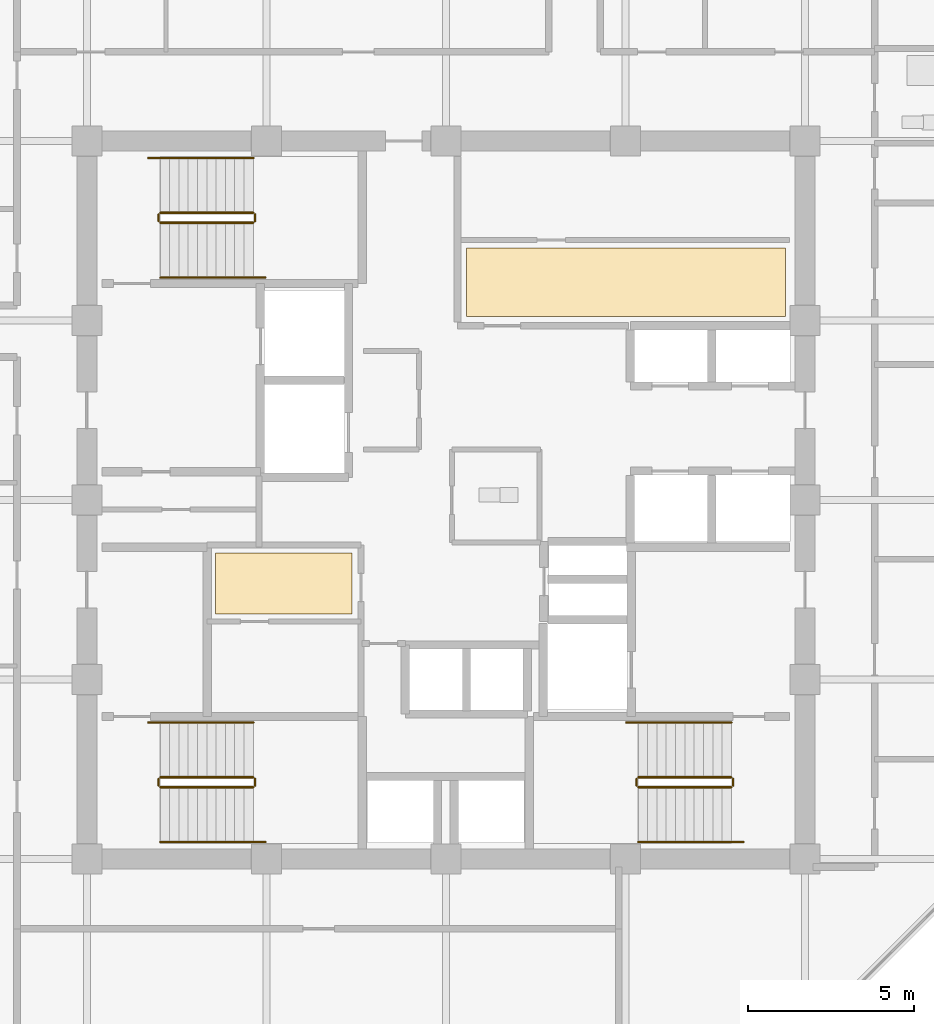
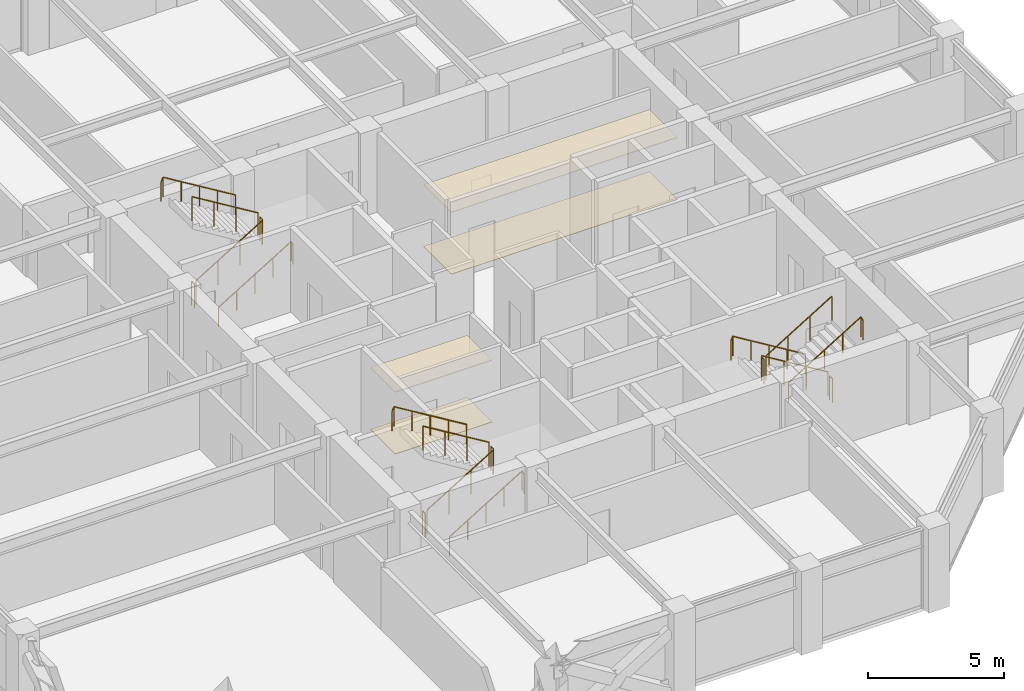
# One storey, part 31 of 32: 18 railings, 4 coverings.
"""IFC4 building model written with IfcOpenShell, lengths in metres."""

import ifcopenshell
import ifcopenshell.guid

model = None  # the IFC model being written
_history = None  # IfcOwnerHistory: only IFC2X3 demands one
_inside = {}  # id of a spatial element -> (the spatial element, [elements in it])
_under = {}  # id of a project, library or spatial element -> (it, [spatial elements below it])
_declared = {}  # id of a project -> (the project, [libraries it declares])
_typed = {}  # id of a type object -> (the type object, [elements of that type])
_made_of = {}  # id of a material, layer set ... -> (it, [elements and type objects made of it])


def new_model(schema):
    """Start an empty IFC model of exactly this schema.

    Asked for "IFC4X3", IfcOpenShell would pick the latest addendum, in which some entities
    have other attributes; the version numbers below select the first issue.
    IFC2X3 requires an IfcOwnerHistory on every rooted entity: one is made here for all.
    """
    global model, _history
    if schema == "IFC4X3":
        model = ifcopenshell.file(schema_version=(4, 3, 0, 0))
    else:
        model = ifcopenshell.file(schema=schema)
    _inside.clear()
    _under.clear()
    _declared.clear()
    _typed.clear()
    _made_of.clear()
    _history = None
    if model.schema == "IFC2X3":
        org = make("IfcOrganization", Name="unknown")
        user = make(
            "IfcPersonAndOrganization",
            ThePerson=make("IfcPerson", FamilyName="unknown"),
            TheOrganization=org,
        )
        app = make(
            "IfcApplication",
            ApplicationDeveloper=org,
            Version="unknown",
            ApplicationFullName="unknown",
            ApplicationIdentifier="unknown",
        )
        _history = make(
            "IfcOwnerHistory",
            OwningUser=user,
            OwningApplication=app,
            ChangeAction="ADDED",
            CreationDate=0,
        )
    return model


def make(cls, **values):
    """One entity of the class cls with the attributes given. An attribute that is None is left unset."""
    return model.create_entity(
        cls, **{name: value for name, value in values.items() if value is not None}
    )


def rooted(cls, **values):
    """An entity with a GlobalId (a new one), such as an element, a storey or a relation."""
    return make(cls, GlobalId=ifcopenshell.guid.new(), OwnerHistory=_history, **values)


def si_unit(unit_type, name, prefix=None):
    """IfcSIUnit, for example si_unit("LENGTHUNIT", "METRE", prefix="MILLI")."""
    return make("IfcSIUnit", UnitType=unit_type, Prefix=prefix, Name=name)


def assignment(units):
    """IfcUnitAssignment: the units of a project."""
    return None if units is None else make("IfcUnitAssignment", Units=units)


def point(xyz):
    """IfcCartesianPoint."""
    return None if xyz is None else make("IfcCartesianPoint", Coordinates=xyz)


def direction(xyz):
    """IfcDirection."""
    return None if xyz is None else make("IfcDirection", DirectionRatios=xyz)


def frame(location, z_axis=None, x_axis=None):
    """IfcAxis2Placement3D, a coordinate frame: its origin and axes. An axis left out is left unset."""
    return make(
        "IfcAxis2Placement3D",
        Location=point(location),
        Axis=direction(z_axis),
        RefDirection=direction(x_axis),
    )


def frame_2d(location, x_axis=None):
    """IfcAxis2Placement2D, a coordinate frame in the plane: its origin and x axis."""
    return make(
        "IfcAxis2Placement2D", Location=point(location), RefDirection=direction(x_axis)
    )


def origin():
    """The frame at (0, 0, 0) with its axes left unset."""
    return frame((0.0, 0.0, 0.0))


def origin_2d():
    """The frame at (0, 0) in the plane with its x axis left unset."""
    return frame_2d((0.0, 0.0))


def place(relative_to, where):
    """IfcLocalPlacement: puts the frame where relative to a parent placement (None: the world)."""
    return make(
        "IfcLocalPlacement", PlacementRelTo=relative_to, RelativePlacement=where
    )


def context(
    kind, dimensions, precision=None, world=None, true_north=None, identifier=None
):
    """IfcGeometricRepresentationContext, for example the 3D "Model" context."""
    return make(
        "IfcGeometricRepresentationContext",
        ContextIdentifier=identifier,
        ContextType=kind,
        CoordinateSpaceDimension=dimensions,
        Precision=precision,
        WorldCoordinateSystem=world,
        TrueNorth=true_north,
    )


def subcontext(parent, identifier, kind, view, scale=None):
    """IfcGeometricRepresentationSubContext, for example "Body" below "Model"."""
    return make(
        "IfcGeometricRepresentationSubContext",
        ContextIdentifier=identifier,
        ContextType=kind,
        ParentContext=parent,
        TargetScale=scale,
        TargetView=view,
    )


def project(units=None, contexts=None):
    """IfcProject with its units and contexts."""
    return rooted(
        "IfcProject",
        Name="project",
        RepresentationContexts=contexts,
        UnitsInContext=assignment(units),
    )


def spatial(cls, under=None, at=None, **own):
    """A site, building, storey or space (cls), placed at a placement, below another one or the project."""
    s = rooted(cls, ObjectPlacement=at, **own)
    if under is not None:
        _under.setdefault(under.id(), (under, []))[1].append(s)
    return s


def polyline(points):
    """IfcPolyline through the points."""
    return make("IfcPolyline", Points=[point(p) for p in points])


def profile(cls, at=None, kind="AREA", **sizes):
    """A parametric profile (cls). Its sizes go by their IFC names, for example OverallWidth=200.0."""
    return make(cls, ProfileType=kind, Position=at, **sizes)


def circle(**sizes):
    """IfcCircleProfileDef."""
    return profile("IfcCircleProfileDef", **sizes)


def outline(outer, holes=None, kind="AREA"):
    """IfcArbitraryClosedProfileDef: a profile drawn as a closed curve; with holes, ...WithVoids."""
    if holes is None:
        return make("IfcArbitraryClosedProfileDef", ProfileType=kind, OuterCurve=outer)
    return make(
        "IfcArbitraryProfileDefWithVoids",
        ProfileType=kind,
        OuterCurve=outer,
        InnerCurves=holes,
    )


def extrude(swept, where, along, depth):
    """IfcExtrudedAreaSolid: the profile swept, set in the frame where, extruded along a direction by depth."""
    return make(
        "IfcExtrudedAreaSolid",
        SweptArea=swept,
        Position=where,
        ExtrudedDirection=direction(along),
        Depth=depth,
    )


def shape(context_of_items, identifier, shape_type, items):
    """IfcShapeRepresentation: the items that make up one representation, for example the "Body"."""
    return make(
        "IfcShapeRepresentation",
        ContextOfItems=context_of_items,
        RepresentationIdentifier=identifier,
        RepresentationType=shape_type,
        Items=items,
    )


def material(Name=None, Category=None):
    """IfcMaterial."""
    return make("IfcMaterial", Name=Name, Category=Category)


def layer(
    of_material, thickness, ventilated=None, Name=None, Category=None, Priority=None
):
    """IfcMaterialLayer: one layer of a wall or slab, of a material (None: an air gap)."""
    return make(
        "IfcMaterialLayer",
        Material=of_material,
        LayerThickness=thickness,
        IsVentilated=ventilated,
        Name=Name,
        Category=Category,
        Priority=Priority,
    )


def layer_set(layers, Name=None):
    """IfcMaterialLayerSet."""
    return make("IfcMaterialLayerSet", MaterialLayers=layers, LayerSetName=Name)


def made_of(thing, what):
    """Note that an element or type object is made of a material, layer set ...; save() writes the relation."""
    if what is not None:
        _made_of.setdefault(what.id(), (what, []))[1].append(thing)
    return thing


def type_object(cls, material=None, **own):
    """A type object (cls), such as IfcWallType, which elements share."""
    return made_of(rooted(cls, **own), material)


def element(
    cls,
    number,
    at=None,
    inside=None,
    cuts=None,
    type_object=None,
    material=None,
    context=None,
    identifier="Body",
    shape_type=None,
    held_by="IfcProductDefinitionShape",
    body=None,
    shapes=None,
    **own,
):
    """One element of the class cls, such as IfcWall. Its Tag is "e" and its number.

    at: its placement. inside: the storey or other place that contains it. cuts: it is an
    opening in that element (IfcRelVoidsElement). A single representation is given by context,
    identifier, shape_type and body (its items); several are given by shapes. held_by: the class
    of the entity that holds the representations. save() writes the other relations.
    """
    e = rooted(cls, Tag="e%d" % number, ObjectPlacement=at, **own)
    if body is not None:
        shapes = [shape(context, identifier, shape_type, body)]
    if shapes is not None:
        e.Representation = make(held_by, Representations=shapes)
    if inside is not None:
        _inside.setdefault(inside.id(), (inside, []))[1].append(e)
    if cuts is not None:
        rooted(
            "IfcRelVoidsElement", RelatingBuildingElement=cuts, RelatedOpeningElement=e
        )
    if type_object is not None:
        _typed.setdefault(type_object.id(), (type_object, []))[1].append(e)
    return made_of(e, material)


def aggregate(whole, parts):
    """IfcRelAggregates: a whole, such as a stair, and the parts it consists of."""
    return rooted("IfcRelAggregates", RelatingObject=whole, RelatedObjects=parts)


def save(model, path):
    """Write the relations noted so far, then the file.

    IfcRelAggregates (storeys below a building ...), IfcRelContainedInSpatialStructure (elements
    in a storey), IfcRelDefinesByType, IfcRelAssociatesMaterial and IfcRelDeclares: one each for
    every whole, place, type object, material and project.
    """
    for whole, parts in _under.values():
        aggregate(whole, parts)
    for where, things in _inside.values():
        rooted(
            "IfcRelContainedInSpatialStructure",
            RelatedElements=things,
            RelatingStructure=where,
        )
    for kind, things in _typed.values():
        rooted("IfcRelDefinesByType", RelatedObjects=things, RelatingType=kind)
    for what, things in _made_of.values():
        rooted("IfcRelAssociatesMaterial", RelatedObjects=things, RelatingMaterial=what)
    for by, libraries in _declared.values():
        rooted("IfcRelDeclares", RelatingContext=by, RelatedDefinitions=libraries)
    model.write(path)


model = new_model("IFC4")

# Units and contexts
model_context = context("Model", 3, precision=1e-05, world=origin(), true_north=direction((0.0, 1.0)))
body_context = subcontext(model_context, "Body", "Model", "MODEL_VIEW")
ifc_project = project(units=[si_unit("LENGTHUNIT", "METRE"), si_unit("AREAUNIT", "SQUARE_METRE"), si_unit("VOLUMEUNIT", "CUBIC_METRE"), si_unit("PLANEANGLEUNIT", "RADIAN"), si_unit("MASSUNIT", "GRAM", prefix="KILO")], contexts=[model_context])

# Site, building, storey
site_placement = place(None, origin())
site = spatial("IfcSite", under=ifc_project, at=site_placement, CompositionType="ELEMENT")
building_placement = place(site_placement, origin())
building = spatial("IfcBuilding", under=site, at=building_placement, Name="Surkhivell Harbour Commons", CompositionType="ELEMENT")
storey_placement = place(building_placement, frame((0.0, 0.0, 197.25)))
storey = spatial("IfcBuildingStorey", under=building, at=storey_placement, Name="L51", CompositionType="ELEMENT", Elevation=197.25)

# Coverings
ifc_material_1 = material(Name="Perforated acoustic mineral-fibre ceiling tile", Category="other")
ifc_layer_1 = layer(ifc_material_1, 0.02490234375)
ifc_layer_set_1 = layer_set([ifc_layer_1], Name="Perforated acoustic mineral-fibre ceiling tile")
covering_type_1 = type_object("IfcCoveringType", Name="COV-CEIL-AC", PredefinedType="CEILING", material=ifc_layer_set_1)
covering_1_placement = place(storey_placement, frame((0.0, 0.0, 2.77490234375)))
element("IfcCovering", 1, at=covering_1_placement, inside=storey, type_object=covering_type_1, Name="L51 Suspended Acoustic Ceiling 1", PredefinedType="CEILING", context=body_context, shape_type="SweptSolid", body=[
    extrude(outline(polyline([(0.6201171875, 5.52001953125), (10.219970703125, 5.52001953125), (10.219970703125, 7.580078125), (0.6201171875, 7.580078125), (0.6201171875, 5.52001953125)])), origin(), (0.0, 0.0, 1.0), 0.025146484375),
])
ifc_material_2 = material(Name="Moisture-resistant gypsum acoustic ceiling board", Category="other")
ifc_layer_2 = layer(ifc_material_2, 0.030029296875)
ifc_layer_set_2 = layer_set([ifc_layer_2], Name="Moisture-resistant gypsum acoustic ceiling board")
covering_type_2 = type_object("IfcCoveringType", Name="COV-CEIL-GYP", PredefinedType="CEILING", material=ifc_layer_set_2)
covering_2_placement = place(storey_placement, frame((0.0, 0.0, 2.77001953125)))
element("IfcCovering", 2, at=covering_2_placement, inside=storey, type_object=covering_type_2, Name="L51 Suspended Acoustic Ceiling 2", PredefinedType="CEILING", context=body_context, shape_type="SweptSolid", body=[
    extrude(outline(polyline([(-6.929931640625, -3.429931640625), (-2.820068359375, -3.429931640625), (-2.820068359375, -1.60009765625), (-6.929931640625, -1.60009765625), (-6.929931640625, -3.429931640625)])), origin(), (0.0, 0.0, 1.0), 0.030029296875),
])
ifc_material_3 = material(Name="Engineered acoustic oak timber flooring", Category="wood")
ifc_layer_3 = layer(ifc_material_3, 0.02001953125)
ifc_layer_set_3 = layer_set([ifc_layer_3], Name="Engineered acoustic oak timber flooring")
covering_type_3 = type_object("IfcCoveringType", Name="COV-FLR-TIM", PredefinedType="FLOORING", material=ifc_layer_set_3)
covering_3_placement = place(storey_placement, origin())
element("IfcCovering", 3, at=covering_3_placement, inside=storey, type_object=covering_type_3, Name="L51 Interior Floor Finish 1", PredefinedType="FLOORING", context=body_context, shape_type="SweptSolid", body=[
    extrude(outline(polyline([(0.6201171875, 5.52001953125), (10.219970703125, 5.52001953125), (10.219970703125, 7.580078125), (0.6201171875, 7.580078125), (0.6201171875, 5.52001953125)])), origin(), (0.0, 0.0, 1.0), 0.02001953125),
])
covering_4_placement = place(storey_placement, origin())
element("IfcCovering", 4, at=covering_4_placement, inside=storey, type_object=covering_type_3, Name="L51 Interior Floor Finish 2", PredefinedType="FLOORING", context=body_context, shape_type="SweptSolid", body=[
    extrude(outline(polyline([(-6.929931640625, -3.429931640625), (-2.820068359375, -3.429931640625), (-2.820068359375, -1.60009765625), (-6.929931640625, -1.60009765625), (-6.929931640625, -3.429931640625)])), origin(), (0.0, 0.0, 1.0), 0.02001953125),
])

# Railings
ifc_material_4 = material(Name="Galvanised and painted steel S355 guard rail", Category="steel")
railing_type_1 = type_object("IfcRailingType", Name="RAL-ST-GRD1100", PredefinedType="GUARDRAIL", material=ifc_material_4)
railing_1_placement = place(storey_placement, frame((-8.590087890625, 8.340087890625, 0.17041015625)))
element("IfcRailing", 5, at=railing_1_placement, inside=storey, type_object=railing_type_1, Name="L51 ST1 stair guard 1", PredefinedType="GUARDRAIL", context=body_context, shape_type="SweptSolid", body=[
    extrude(circle(Radius=0.02392578125, at=origin_2d()), frame((0.0, 0.0, 1.076171875), z_axis=(0.854169791009, 0.0, 0.51999420009), x_axis=(0.0, 1.0, 0.0)), (0.0, 0.0, 1.0), 3.278076171875),
    extrude(circle(Radius=0.02099609375, at=origin_2d()), origin(), (0.0, 0.0, 1.0), 1.052001953125),
    extrude(circle(Radius=0.02099609375, at=origin_2d()), frame((0.933349609375, 0.0, 0.568115234375)), (0.0, 0.0, 1.0), 1.052001953125),
    extrude(circle(Radius=0.02099609375, at=origin_2d()), frame((1.86669921875, 0.0, 1.136474609375)), (0.0, 0.0, 1.0), 1.052001953125),
    extrude(circle(Radius=0.02099609375, at=origin_2d()), frame((2.800048828125, 0.0, 1.70458984375)), (0.0, 0.0, 1.0), 1.052001953125),
])
railing_2_placement = place(storey_placement, frame((-5.739990234375, 8.389892578125, 1.875)))
element("IfcRailing", 6, at=railing_2_placement, inside=storey, type_object=railing_type_1, Name="L51 ST1 stair guard 2", PredefinedType="GUARDRAIL", context=body_context, shape_type="SweptSolid", body=[
    extrude(circle(Radius=0.02392578125, at=origin_2d()), frame((0.0, 0.0, 1.076171875), z_axis=(0.0, 1.0, 0.0), x_axis=(-1.0, 0.0, 0.0)), (0.0, 0.0, 1.0), 0.2001953125),
    extrude(circle(Radius=0.02099609375, at=origin_2d()), origin(), (0.0, 0.0, 1.0), 1.052001953125),
    extrude(circle(Radius=0.02099609375, at=origin_2d()), frame((0.0, 0.2001953125, 0.0)), (0.0, 0.0, 1.0), 1.052001953125),
])
railing_3_placement = place(storey_placement, frame((-5.7900390625, 8.639892578125, 2.04541015625)))
element("IfcRailing", 7, at=railing_3_placement, inside=storey, type_object=railing_type_1, Name="L51 ST1 stair guard 3", PredefinedType="GUARDRAIL", context=body_context, shape_type="SweptSolid", body=[
    extrude(circle(Radius=0.02392578125, at=origin_2d()), frame((0.0, 0.0, 1.076171875), z_axis=(-0.854169791009, 0.0, 0.51999420009), x_axis=(0.0, -1.0, 0.0)), (0.0, 0.0, 1.0), 3.278076171875),
    extrude(circle(Radius=0.02099609375, at=origin_2d()), origin(), (0.0, 0.0, 1.0), 1.052001953125),
    extrude(circle(Radius=0.02099609375, at=origin_2d()), frame((-0.933349609375, 0.0, 0.568115234375)), (0.0, 0.0, 1.0), 1.052001953125),
    extrude(circle(Radius=0.02099609375, at=origin_2d()), frame((-1.86669921875, 0.0, 1.136474609375)), (0.0, 0.0, 1.0), 1.052001953125),
    extrude(circle(Radius=0.02099609375, at=origin_2d()), frame((-2.800048828125, 0.0, 1.70458984375)), (0.0, 0.0, 1.0), 1.052001953125),
])
railing_4_placement = place(storey_placement, frame((-8.639892578125, 8.389892578125, 0.0)))
element("IfcRailing", 8, at=railing_4_placement, inside=storey, type_object=railing_type_1, Name="L51 ST1 stair guard 4", PredefinedType="GUARDRAIL", context=body_context, shape_type="SweptSolid", body=[
    extrude(circle(Radius=0.02392578125, at=origin_2d()), frame((0.0, 0.0, 1.076171875), z_axis=(0.0, 1.0, 0.0), x_axis=(-1.0, 0.0, 0.0)), (0.0, 0.0, 1.0), 0.2001953125),
    extrude(circle(Radius=0.02099609375, at=origin_2d()), origin(), (0.0, 0.0, 1.0), 1.052001953125),
    extrude(circle(Radius=0.02099609375, at=origin_2d()), frame((0.0, 0.2001953125, 0.0)), (0.0, 0.0, 1.0), 1.052001953125),
])
railing_5_placement = place(storey_placement, frame((8.590087890625, -8.340087890625, 0.17041015625)))
element("IfcRailing", 9, at=railing_5_placement, inside=storey, type_object=railing_type_1, Name="L51 ST2 stair guard 1", PredefinedType="GUARDRAIL", context=body_context, shape_type="SweptSolid", body=[
    extrude(circle(Radius=0.02392578125, at=origin_2d()), frame((0.0, 0.0, 1.076171875), z_axis=(-0.854169791009, 0.0, 0.51999420009), x_axis=(0.0, -1.0, 0.0)), (0.0, 0.0, 1.0), 3.278076171875),
    extrude(circle(Radius=0.02099609375, at=origin_2d()), origin(), (0.0, 0.0, 1.0), 1.052001953125),
    extrude(circle(Radius=0.02099609375, at=origin_2d()), frame((-0.933349609375, 0.0, 0.568115234375)), (0.0, 0.0, 1.0), 1.052001953125),
    extrude(circle(Radius=0.02099609375, at=origin_2d()), frame((-1.86669921875, 0.0, 1.136474609375)), (0.0, 0.0, 1.0), 1.052001953125),
    extrude(circle(Radius=0.02099609375, at=origin_2d()), frame((-2.800048828125, 0.0, 1.70458984375)), (0.0, 0.0, 1.0), 1.052001953125),
])
railing_6_placement = place(storey_placement, frame((5.739990234375, -8.389892578125, 1.875)))
element("IfcRailing", 10, at=railing_6_placement, inside=storey, type_object=railing_type_1, Name="L51 ST2 stair guard 2", PredefinedType="GUARDRAIL", context=body_context, shape_type="SweptSolid", body=[
    extrude(circle(Radius=0.02392578125, at=origin_2d()), frame((0.0, 0.0, 1.076171875), z_axis=(0.0, -1.0, 0.0), x_axis=(1.0, 0.0, 0.0)), (0.0, 0.0, 1.0), 0.2001953125),
    extrude(circle(Radius=0.02099609375, at=origin_2d()), origin(), (0.0, 0.0, 1.0), 1.052001953125),
    extrude(circle(Radius=0.02099609375, at=origin_2d()), frame((0.0, -0.2001953125, 0.0)), (0.0, 0.0, 1.0), 1.052001953125),
])
railing_7_placement = place(storey_placement, frame((5.7900390625, -8.639892578125, 2.04541015625)))
element("IfcRailing", 11, at=railing_7_placement, inside=storey, type_object=railing_type_1, Name="L51 ST2 stair guard 3", PredefinedType="GUARDRAIL", context=body_context, shape_type="SweptSolid", body=[
    extrude(circle(Radius=0.02392578125, at=origin_2d()), frame((0.0, 0.0, 1.076171875), z_axis=(0.854169791009, 0.0, 0.51999420009), x_axis=(0.0, 1.0, 0.0)), (0.0, 0.0, 1.0), 3.278076171875),
    extrude(circle(Radius=0.02099609375, at=origin_2d()), origin(), (0.0, 0.0, 1.0), 1.052001953125),
    extrude(circle(Radius=0.02099609375, at=origin_2d()), frame((0.933349609375, 0.0, 0.568115234375)), (0.0, 0.0, 1.0), 1.052001953125),
    extrude(circle(Radius=0.02099609375, at=origin_2d()), frame((1.86669921875, 0.0, 1.136474609375)), (0.0, 0.0, 1.0), 1.052001953125),
    extrude(circle(Radius=0.02099609375, at=origin_2d()), frame((2.800048828125, 0.0, 1.70458984375)), (0.0, 0.0, 1.0), 1.052001953125),
])
railing_8_placement = place(storey_placement, frame((8.639892578125, -8.389892578125, 0.0)))
element("IfcRailing", 12, at=railing_8_placement, inside=storey, type_object=railing_type_1, Name="L51 ST2 stair guard 4", PredefinedType="GUARDRAIL", context=body_context, shape_type="SweptSolid", body=[
    extrude(circle(Radius=0.02392578125, at=origin_2d()), frame((0.0, 0.0, 1.076171875), z_axis=(0.0, -1.0, 0.0), x_axis=(1.0, 0.0, 0.0)), (0.0, 0.0, 1.0), 0.2001953125),
    extrude(circle(Radius=0.02099609375, at=origin_2d()), origin(), (0.0, 0.0, 1.0), 1.052001953125),
    extrude(circle(Radius=0.02099609375, at=origin_2d()), frame((0.0, -0.2001953125, 0.0)), (0.0, 0.0, 1.0), 1.052001953125),
])
railing_9_placement = place(storey_placement, frame((-8.590087890625, -8.639892578125, 0.17041015625)))
element("IfcRailing", 13, at=railing_9_placement, inside=storey, type_object=railing_type_1, Name="L51 ST3 stair guard 1", PredefinedType="GUARDRAIL", context=body_context, shape_type="SweptSolid", body=[
    extrude(circle(Radius=0.02392578125, at=origin_2d()), frame((0.0, 0.0, 1.076171875), z_axis=(0.854169791009, 0.0, 0.51999420009), x_axis=(0.0, 1.0, 0.0)), (0.0, 0.0, 1.0), 3.278076171875),
    extrude(circle(Radius=0.02099609375, at=origin_2d()), origin(), (0.0, 0.0, 1.0), 1.052001953125),
    extrude(circle(Radius=0.02099609375, at=origin_2d()), frame((0.933349609375, 0.0, 0.568115234375)), (0.0, 0.0, 1.0), 1.052001953125),
    extrude(circle(Radius=0.02099609375, at=origin_2d()), frame((1.86669921875, 0.0, 1.136474609375)), (0.0, 0.0, 1.0), 1.052001953125),
    extrude(circle(Radius=0.02099609375, at=origin_2d()), frame((2.800048828125, 0.0, 1.70458984375)), (0.0, 0.0, 1.0), 1.052001953125),
])
railing_10_placement = place(storey_placement, frame((-5.739990234375, -8.590087890625, 1.875)))
element("IfcRailing", 14, at=railing_10_placement, inside=storey, type_object=railing_type_1, Name="L51 ST3 stair guard 2", PredefinedType="GUARDRAIL", context=body_context, shape_type="SweptSolid", body=[
    extrude(circle(Radius=0.02392578125, at=origin_2d()), frame((0.0, 0.0, 1.076171875), z_axis=(0.0, 1.0, 0.0), x_axis=(-1.0, 0.0, 0.0)), (0.0, 0.0, 1.0), 0.2001953125),
    extrude(circle(Radius=0.02099609375, at=origin_2d()), origin(), (0.0, 0.0, 1.0), 1.052001953125),
    extrude(circle(Radius=0.02099609375, at=origin_2d()), frame((0.0, 0.2001953125, 0.0)), (0.0, 0.0, 1.0), 1.052001953125),
])
railing_11_placement = place(storey_placement, frame((-5.7900390625, -8.340087890625, 2.04541015625)))
element("IfcRailing", 15, at=railing_11_placement, inside=storey, type_object=railing_type_1, Name="L51 ST3 stair guard 3", PredefinedType="GUARDRAIL", context=body_context, shape_type="SweptSolid", body=[
    extrude(circle(Radius=0.02392578125, at=origin_2d()), frame((0.0, 0.0, 1.076171875), z_axis=(-0.854169791009, 0.0, 0.51999420009), x_axis=(0.0, -1.0, 0.0)), (0.0, 0.0, 1.0), 3.278076171875),
    extrude(circle(Radius=0.02099609375, at=origin_2d()), origin(), (0.0, 0.0, 1.0), 1.052001953125),
    extrude(circle(Radius=0.02099609375, at=origin_2d()), frame((-0.933349609375, 0.0, 0.568115234375)), (0.0, 0.0, 1.0), 1.052001953125),
    extrude(circle(Radius=0.02099609375, at=origin_2d()), frame((-1.86669921875, 0.0, 1.136474609375)), (0.0, 0.0, 1.0), 1.052001953125),
    extrude(circle(Radius=0.02099609375, at=origin_2d()), frame((-2.800048828125, 0.0, 1.70458984375)), (0.0, 0.0, 1.0), 1.052001953125),
])
railing_12_placement = place(storey_placement, frame((-8.639892578125, -8.590087890625, 0.0)))
element("IfcRailing", 16, at=railing_12_placement, inside=storey, type_object=railing_type_1, Name="L51 ST3 stair guard 4", PredefinedType="GUARDRAIL", context=body_context, shape_type="SweptSolid", body=[
    extrude(circle(Radius=0.02392578125, at=origin_2d()), frame((0.0, 0.0, 1.076171875), z_axis=(0.0, 1.0, 0.0), x_axis=(-1.0, 0.0, 0.0)), (0.0, 0.0, 1.0), 0.2001953125),
    extrude(circle(Radius=0.02099609375, at=origin_2d()), origin(), (0.0, 0.0, 1.0), 1.052001953125),
    extrude(circle(Radius=0.02099609375, at=origin_2d()), frame((0.0, 0.2001953125, 0.0)), (0.0, 0.0, 1.0), 1.052001953125),
])
ifc_material_5 = material(Name="Brushed stainless steel S355 handrail", Category="steel")
railing_type_2 = type_object("IfcRailingType", Name="RAL-ST-HND900", PredefinedType="HANDRAIL", material=ifc_material_5)
railing_13_placement = place(storey_placement, frame((-8.590087890625, 6.68994140625, 0.17041015625)))
element("IfcRailing", 17, at=railing_13_placement, inside=storey, type_object=railing_type_2, Name="L51 ST1 stair handrail 1", PredefinedType="HANDRAIL", context=body_context, shape_type="SweptSolid", body=[
    extrude(circle(Radius=0.02392578125, at=origin_2d()), frame((0.0, 0.0, 0.8759765625), z_axis=(0.854177636135, 0.0, 0.519981313056), x_axis=(0.0, 1.0, 0.0)), (0.0, 0.0, 1.0), 3.60595703125),
    extrude(circle(Radius=0.02392578125, at=origin_2d()), frame((3.080078125, 0.0, 2.7509765625), z_axis=(0.425297416671, 0.0, -0.905053648892), x_axis=(0.0, 1.0, 0.0)), (0.0, 0.0, 1.0), 0.188232421875),
    extrude(circle(Radius=0.02099609375, at=origin_2d()), origin(), (0.0, 0.0, 1.0), 0.851806640625),
    extrude(circle(Radius=0.02099609375, at=origin_2d()), frame((0.77001953125, 0.0, 0.46875)), (0.0, 0.0, 1.0), 0.851806640625),
    extrude(circle(Radius=0.02099609375, at=origin_2d()), frame((1.5400390625, 0.0, 0.9375)), (0.0, 0.0, 1.0), 0.851806640625),
    extrude(circle(Radius=0.02099609375, at=origin_2d()), frame((2.31005859375, 0.0, 1.40625)), (0.0, 0.0, 1.0), 0.851806640625),
    extrude(circle(Radius=0.02099609375, at=origin_2d()), frame((3.080078125, 0.0, 1.875)), (0.0, 0.0, 1.0), 0.851806640625),
    extrude(circle(Radius=0.02099609375, at=origin_2d()), frame((3.16015625, 0.0, 1.70458984375)), (0.0, 0.0, 1.0), 0.851806640625),
])
railing_14_placement = place(storey_placement, frame((-5.7900390625, 10.2900390625, 2.04541015625)))
element("IfcRailing", 18, at=railing_14_placement, inside=storey, type_object=railing_type_2, Name="L51 ST1 stair handrail 2", PredefinedType="HANDRAIL", context=body_context, shape_type="SweptSolid", body=[
    extrude(circle(Radius=0.02392578125, at=origin_2d()), frame((0.0, 0.0, 0.8759765625), z_axis=(-0.854177636135, 0.0, 0.519981313056), x_axis=(0.0, -1.0, 0.0)), (0.0, 0.0, 1.0), 3.60595703125),
    extrude(circle(Radius=0.02392578125, at=origin_2d()), frame((-3.080078125, 0.0, 2.7509765625), z_axis=(-0.424234432967, 0.0, -0.905552398199), x_axis=(0.0, -1.0, 0.0)), (0.0, 0.0, 1.0), 0.188232421875),
    extrude(circle(Radius=0.02099609375, at=origin_2d()), origin(), (0.0, 0.0, 1.0), 0.851806640625),
    extrude(circle(Radius=0.02099609375, at=origin_2d()), frame((-0.77001953125, 0.0, 0.46875)), (0.0, 0.0, 1.0), 0.851806640625),
    extrude(circle(Radius=0.02099609375, at=origin_2d()), frame((-1.5400390625, 0.0, 0.9375)), (0.0, 0.0, 1.0), 0.851806640625),
    extrude(circle(Radius=0.02099609375, at=origin_2d()), frame((-2.31005859375, 0.0, 1.40625)), (0.0, 0.0, 1.0), 0.851806640625),
    extrude(circle(Radius=0.02099609375, at=origin_2d()), frame((-3.080078125, 0.0, 1.875)), (0.0, 0.0, 1.0), 0.851806640625),
    extrude(circle(Radius=0.02099609375, at=origin_2d()), frame((-3.159912109375, 0.0, 1.70458984375)), (0.0, 0.0, 1.0), 0.851806640625),
])
railing_15_placement = place(storey_placement, frame((8.590087890625, -6.68994140625, 0.17041015625)))
element("IfcRailing", 19, at=railing_15_placement, inside=storey, type_object=railing_type_2, Name="L51 ST2 stair handrail 1", PredefinedType="HANDRAIL", context=body_context, shape_type="SweptSolid", body=[
    extrude(circle(Radius=0.02392578125, at=origin_2d()), frame((0.0, 0.0, 0.8759765625), z_axis=(-0.854177636135, 0.0, 0.519981313056), x_axis=(0.0, -1.0, 0.0)), (0.0, 0.0, 1.0), 3.60595703125),
    extrude(circle(Radius=0.02392578125, at=origin_2d()), frame((-3.080078125, 0.0, 2.7509765625), z_axis=(-0.425297416671, 0.0, -0.905053648892), x_axis=(0.0, -1.0, 0.0)), (0.0, 0.0, 1.0), 0.188232421875),
    extrude(circle(Radius=0.02099609375, at=origin_2d()), origin(), (0.0, 0.0, 1.0), 0.851806640625),
    extrude(circle(Radius=0.02099609375, at=origin_2d()), frame((-0.77001953125, 0.0, 0.46875)), (0.0, 0.0, 1.0), 0.851806640625),
    extrude(circle(Radius=0.02099609375, at=origin_2d()), frame((-1.5400390625, 0.0, 0.9375)), (0.0, 0.0, 1.0), 0.851806640625),
    extrude(circle(Radius=0.02099609375, at=origin_2d()), frame((-2.31005859375, 0.0, 1.40625)), (0.0, 0.0, 1.0), 0.851806640625),
    extrude(circle(Radius=0.02099609375, at=origin_2d()), frame((-3.080078125, 0.0, 1.875)), (0.0, 0.0, 1.0), 0.851806640625),
    extrude(circle(Radius=0.02099609375, at=origin_2d()), frame((-3.16015625, 0.0, 1.70458984375)), (0.0, 0.0, 1.0), 0.851806640625),
])
railing_16_placement = place(storey_placement, frame((5.7900390625, -10.2900390625, 2.04541015625)))
element("IfcRailing", 20, at=railing_16_placement, inside=storey, type_object=railing_type_2, Name="L51 ST2 stair handrail 2", PredefinedType="HANDRAIL", context=body_context, shape_type="SweptSolid", body=[
    extrude(circle(Radius=0.02392578125, at=origin_2d()), frame((0.0, 0.0, 0.8759765625), z_axis=(0.854177636135, 0.0, 0.519981313056), x_axis=(0.0, 1.0, 0.0)), (0.0, 0.0, 1.0), 3.60595703125),
    extrude(circle(Radius=0.02392578125, at=origin_2d()), frame((3.080078125, 0.0, 2.7509765625), z_axis=(0.424234432967, 0.0, -0.905552398199), x_axis=(0.0, 1.0, 0.0)), (0.0, 0.0, 1.0), 0.188232421875),
    extrude(circle(Radius=0.02099609375, at=origin_2d()), origin(), (0.0, 0.0, 1.0), 0.851806640625),
    extrude(circle(Radius=0.02099609375, at=origin_2d()), frame((0.77001953125, 0.0, 0.46875)), (0.0, 0.0, 1.0), 0.851806640625),
    extrude(circle(Radius=0.02099609375, at=origin_2d()), frame((1.5400390625, 0.0, 0.9375)), (0.0, 0.0, 1.0), 0.851806640625),
    extrude(circle(Radius=0.02099609375, at=origin_2d()), frame((2.31005859375, 0.0, 1.40625)), (0.0, 0.0, 1.0), 0.851806640625),
    extrude(circle(Radius=0.02099609375, at=origin_2d()), frame((3.080078125, 0.0, 1.875)), (0.0, 0.0, 1.0), 0.851806640625),
    extrude(circle(Radius=0.02099609375, at=origin_2d()), frame((3.159912109375, 0.0, 1.70458984375)), (0.0, 0.0, 1.0), 0.851806640625),
])
railing_17_placement = place(storey_placement, frame((-8.590087890625, -10.2900390625, 0.17041015625)))
element("IfcRailing", 21, at=railing_17_placement, inside=storey, type_object=railing_type_2, Name="L51 ST3 stair handrail 1", PredefinedType="HANDRAIL", context=body_context, shape_type="SweptSolid", body=[
    extrude(circle(Radius=0.02392578125, at=origin_2d()), frame((0.0, 0.0, 0.8759765625), z_axis=(0.854177636135, 0.0, 0.519981313056), x_axis=(0.0, 1.0, 0.0)), (0.0, 0.0, 1.0), 3.60595703125),
    extrude(circle(Radius=0.02392578125, at=origin_2d()), frame((3.080078125, 0.0, 2.7509765625), z_axis=(0.425297416671, 0.0, -0.905053648892), x_axis=(0.0, 1.0, 0.0)), (0.0, 0.0, 1.0), 0.188232421875),
    extrude(circle(Radius=0.02099609375, at=origin_2d()), origin(), (0.0, 0.0, 1.0), 0.851806640625),
    extrude(circle(Radius=0.02099609375, at=origin_2d()), frame((0.77001953125, 0.0, 0.46875)), (0.0, 0.0, 1.0), 0.851806640625),
    extrude(circle(Radius=0.02099609375, at=origin_2d()), frame((1.5400390625, 0.0, 0.9375)), (0.0, 0.0, 1.0), 0.851806640625),
    extrude(circle(Radius=0.02099609375, at=origin_2d()), frame((2.31005859375, 0.0, 1.40625)), (0.0, 0.0, 1.0), 0.851806640625),
    extrude(circle(Radius=0.02099609375, at=origin_2d()), frame((3.080078125, 0.0, 1.875)), (0.0, 0.0, 1.0), 0.851806640625),
    extrude(circle(Radius=0.02099609375, at=origin_2d()), frame((3.16015625, 0.0, 1.70458984375)), (0.0, 0.0, 1.0), 0.851806640625),
])
railing_18_placement = place(storey_placement, frame((-5.7900390625, -6.68994140625, 2.04541015625)))
element("IfcRailing", 22, at=railing_18_placement, inside=storey, type_object=railing_type_2, Name="L51 ST3 stair handrail 2", PredefinedType="HANDRAIL", context=body_context, shape_type="SweptSolid", body=[
    extrude(circle(Radius=0.02392578125, at=origin_2d()), frame((0.0, 0.0, 0.8759765625), z_axis=(-0.854177636135, 0.0, 0.519981313056), x_axis=(0.0, -1.0, 0.0)), (0.0, 0.0, 1.0), 3.60595703125),
    extrude(circle(Radius=0.02392578125, at=origin_2d()), frame((-3.080078125, 0.0, 2.7509765625), z_axis=(-0.424234432967, 0.0, -0.905552398199), x_axis=(0.0, -1.0, 0.0)), (0.0, 0.0, 1.0), 0.188232421875),
    extrude(circle(Radius=0.02099609375, at=origin_2d()), origin(), (0.0, 0.0, 1.0), 0.851806640625),
    extrude(circle(Radius=0.02099609375, at=origin_2d()), frame((-0.77001953125, 0.0, 0.46875)), (0.0, 0.0, 1.0), 0.851806640625),
    extrude(circle(Radius=0.02099609375, at=origin_2d()), frame((-1.5400390625, 0.0, 0.9375)), (0.0, 0.0, 1.0), 0.851806640625),
    extrude(circle(Radius=0.02099609375, at=origin_2d()), frame((-2.31005859375, 0.0, 1.40625)), (0.0, 0.0, 1.0), 0.851806640625),
    extrude(circle(Radius=0.02099609375, at=origin_2d()), frame((-3.080078125, 0.0, 1.875)), (0.0, 0.0, 1.0), 0.851806640625),
    extrude(circle(Radius=0.02099609375, at=origin_2d()), frame((-3.159912109375, 0.0, 1.70458984375)), (0.0, 0.0, 1.0), 0.851806640625),
])

save(model, "model.ifc")
